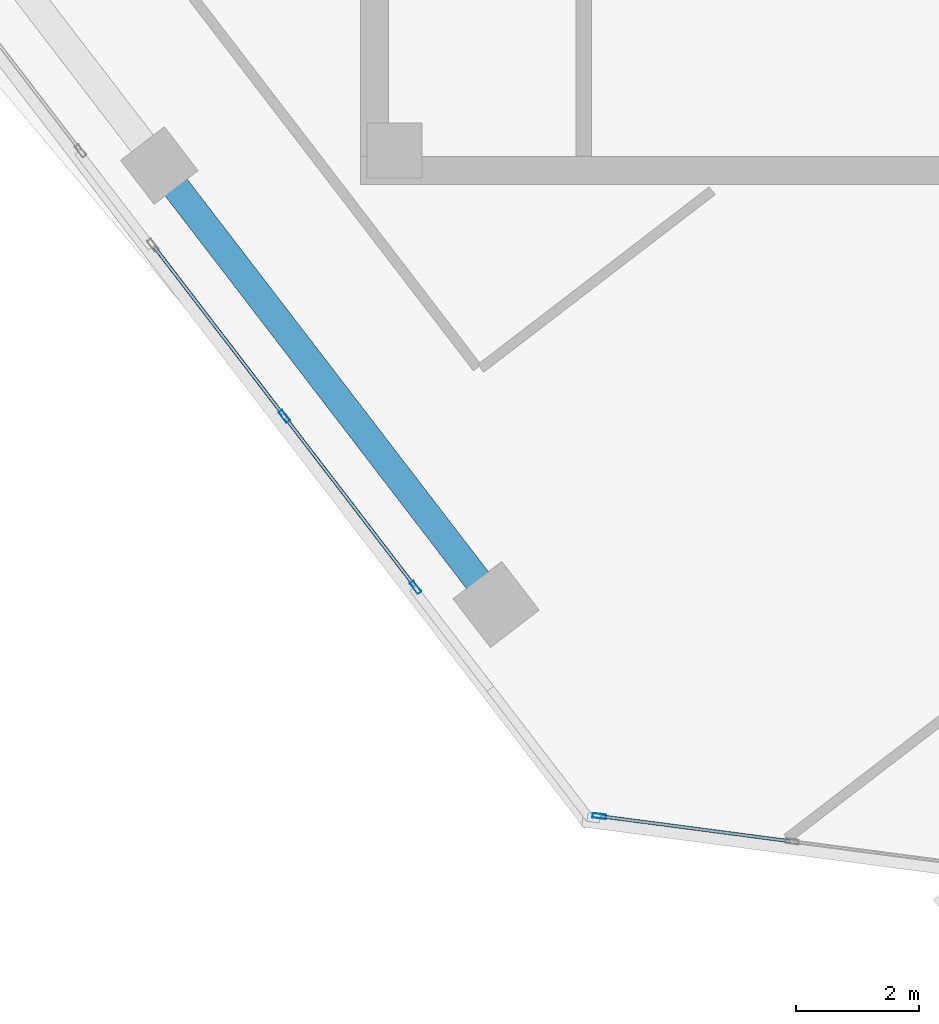
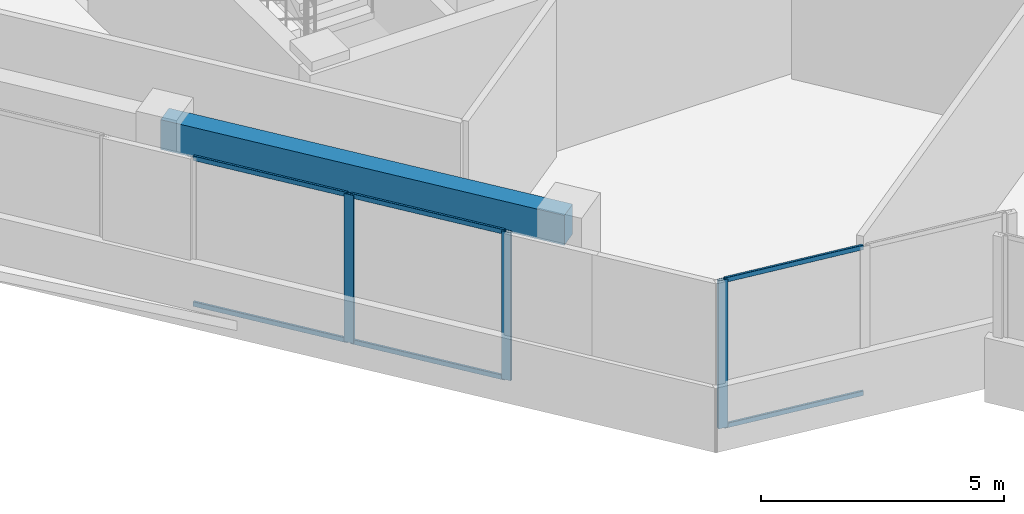
# One storey, part 2 of 17: 9 members, 1 beam, 2 elements without a shape of their own.
"""IFC4 building model written with IfcOpenShell, lengths in metres."""

import ifcopenshell
import ifcopenshell.guid

model = None  # the IFC model being written
_history = None  # IfcOwnerHistory: only IFC2X3 demands one
_inside = {}  # id of a spatial element -> (the spatial element, [elements in it])
_under = {}  # id of a project, library or spatial element -> (it, [spatial elements below it])
_declared = {}  # id of a project -> (the project, [libraries it declares])
_typed = {}  # id of a type object -> (the type object, [elements of that type])
_made_of = {}  # id of a material, layer set ... -> (it, [elements and type objects made of it])


def new_model(schema):
    """Start an empty IFC model of exactly this schema.

    Asked for "IFC4X3", IfcOpenShell would pick the latest addendum, in which some entities
    have other attributes; the version numbers below select the first issue.
    IFC2X3 requires an IfcOwnerHistory on every rooted entity: one is made here for all.
    """
    global model, _history
    if schema == "IFC4X3":
        model = ifcopenshell.file(schema_version=(4, 3, 0, 0))
    else:
        model = ifcopenshell.file(schema=schema)
    _inside.clear()
    _under.clear()
    _declared.clear()
    _typed.clear()
    _made_of.clear()
    _history = None
    if model.schema == "IFC2X3":
        org = make("IfcOrganization", Name="unknown")
        user = make(
            "IfcPersonAndOrganization",
            ThePerson=make("IfcPerson", FamilyName="unknown"),
            TheOrganization=org,
        )
        app = make(
            "IfcApplication",
            ApplicationDeveloper=org,
            Version="unknown",
            ApplicationFullName="unknown",
            ApplicationIdentifier="unknown",
        )
        _history = make(
            "IfcOwnerHistory",
            OwningUser=user,
            OwningApplication=app,
            ChangeAction="ADDED",
            CreationDate=0,
        )
    return model


def make(cls, **values):
    """One entity of the class cls with the attributes given. An attribute that is None is left unset."""
    return model.create_entity(
        cls, **{name: value for name, value in values.items() if value is not None}
    )


def rooted(cls, **values):
    """An entity with a GlobalId (a new one), such as an element, a storey or a relation."""
    return make(cls, GlobalId=ifcopenshell.guid.new(), OwnerHistory=_history, **values)


def si_unit(unit_type, name, prefix=None):
    """IfcSIUnit, for example si_unit("LENGTHUNIT", "METRE", prefix="MILLI")."""
    return make("IfcSIUnit", UnitType=unit_type, Prefix=prefix, Name=name)


def assignment(units):
    """IfcUnitAssignment: the units of a project."""
    return None if units is None else make("IfcUnitAssignment", Units=units)


def point(xyz):
    """IfcCartesianPoint."""
    return None if xyz is None else make("IfcCartesianPoint", Coordinates=xyz)


def direction(xyz):
    """IfcDirection."""
    return None if xyz is None else make("IfcDirection", DirectionRatios=xyz)


def frame(location, z_axis=None, x_axis=None):
    """IfcAxis2Placement3D, a coordinate frame: its origin and axes. An axis left out is left unset."""
    return make(
        "IfcAxis2Placement3D",
        Location=point(location),
        Axis=direction(z_axis),
        RefDirection=direction(x_axis),
    )


def frame_2d(location, x_axis=None):
    """IfcAxis2Placement2D, a coordinate frame in the plane: its origin and x axis."""
    return make(
        "IfcAxis2Placement2D", Location=point(location), RefDirection=direction(x_axis)
    )


def origin():
    """The frame at (0, 0, 0) with its axes left unset."""
    return frame((0.0, 0.0, 0.0))


def origin_2d():
    """The frame at (0, 0) in the plane with its x axis left unset."""
    return frame_2d((0.0, 0.0))


def place(relative_to, where):
    """IfcLocalPlacement: puts the frame where relative to a parent placement (None: the world)."""
    return make(
        "IfcLocalPlacement", PlacementRelTo=relative_to, RelativePlacement=where
    )


def context(
    kind, dimensions, precision=None, world=None, true_north=None, identifier=None
):
    """IfcGeometricRepresentationContext, for example the 3D "Model" context."""
    return make(
        "IfcGeometricRepresentationContext",
        ContextIdentifier=identifier,
        ContextType=kind,
        CoordinateSpaceDimension=dimensions,
        Precision=precision,
        WorldCoordinateSystem=world,
        TrueNorth=true_north,
    )


def subcontext(parent, identifier, kind, view, scale=None):
    """IfcGeometricRepresentationSubContext, for example "Body" below "Model"."""
    return make(
        "IfcGeometricRepresentationSubContext",
        ContextIdentifier=identifier,
        ContextType=kind,
        ParentContext=parent,
        TargetScale=scale,
        TargetView=view,
    )


def project(units=None, contexts=None):
    """IfcProject with its units and contexts."""
    return rooted(
        "IfcProject",
        Name="project",
        RepresentationContexts=contexts,
        UnitsInContext=assignment(units),
    )


def spatial(cls, under=None, at=None, **own):
    """A site, building, storey or space (cls), placed at a placement, below another one or the project."""
    s = rooted(cls, ObjectPlacement=at, **own)
    if under is not None:
        _under.setdefault(under.id(), (under, []))[1].append(s)
    return s


def profile(cls, at=None, kind="AREA", **sizes):
    """A parametric profile (cls). Its sizes go by their IFC names, for example OverallWidth=200.0."""
    return make(cls, ProfileType=kind, Position=at, **sizes)


def rectangle(**sizes):
    """IfcRectangleProfileDef."""
    return profile("IfcRectangleProfileDef", **sizes)


def hollow_rectangle(**sizes):
    """IfcRectangleHollowProfileDef."""
    return profile("IfcRectangleHollowProfileDef", **sizes)


def extrude(swept, where, along, depth):
    """IfcExtrudedAreaSolid: the profile swept, set in the frame where, extruded along a direction by depth."""
    return make(
        "IfcExtrudedAreaSolid",
        SweptArea=swept,
        Position=where,
        ExtrudedDirection=direction(along),
        Depth=depth,
    )


def shape(context_of_items, identifier, shape_type, items):
    """IfcShapeRepresentation: the items that make up one representation, for example the "Body"."""
    return make(
        "IfcShapeRepresentation",
        ContextOfItems=context_of_items,
        RepresentationIdentifier=identifier,
        RepresentationType=shape_type,
        Items=items,
    )


def source(mapping_origin, context_of_items, identifier, shape_type, items):
    """IfcRepresentationMap: a shape defined once, which mapped items show again and again."""
    return make(
        "IfcRepresentationMap",
        MappingOrigin=mapping_origin,
        MappedRepresentation=shape(context_of_items, identifier, shape_type, items),
    )


def transform(
    local_origin,
    x_axis=None,
    y_axis=None,
    z_axis=None,
    scale=None,
    scale2=None,
    scale3=None,
    uniform=True,
):
    """IfcCartesianTransformationOperator3D, or its non-uniform kind. x_axis, y_axis, z_axis: its Axis1, 2, 3."""
    if uniform:
        return make(
            "IfcCartesianTransformationOperator3D",
            Axis1=direction(x_axis),
            Axis2=direction(y_axis),
            LocalOrigin=point(local_origin),
            Scale=scale,
            Axis3=direction(z_axis),
        )
    return make(
        "IfcCartesianTransformationOperator3DnonUniform",
        Axis1=direction(x_axis),
        Axis2=direction(y_axis),
        LocalOrigin=point(local_origin),
        Scale=scale,
        Axis3=direction(z_axis),
        Scale2=scale2,
        Scale3=scale3,
    )


def mapped(mapping_source, mapping_target):
    """IfcMappedItem: shows the shape of a source again, moved by a transform."""
    return make(
        "IfcMappedItem", MappingSource=mapping_source, MappingTarget=mapping_target
    )


def material(Name=None, Category=None):
    """IfcMaterial."""
    return make("IfcMaterial", Name=Name, Category=Category)


def material_profile(
    of_material, cross_section, Name=None, Category=None, Priority=None
):
    """IfcMaterialProfile: a cross section and its material."""
    return make(
        "IfcMaterialProfile",
        Name=Name,
        Material=of_material,
        Profile=cross_section,
        Priority=Priority,
        Category=Category,
    )


def profile_set(profiles, Name=None, composite=None):
    """IfcMaterialProfileSet."""
    return make(
        "IfcMaterialProfileSet",
        Name=Name,
        MaterialProfiles=profiles,
        CompositeProfile=composite,
    )


def made_of(thing, what):
    """Note that an element or type object is made of a material, layer set ...; save() writes the relation."""
    if what is not None:
        _made_of.setdefault(what.id(), (what, []))[1].append(thing)
    return thing


def type_object(cls, material=None, **own):
    """A type object (cls), such as IfcWallType, which elements share."""
    return made_of(rooted(cls, **own), material)


def element(
    cls,
    number,
    at=None,
    inside=None,
    cuts=None,
    type_object=None,
    material=None,
    context=None,
    identifier="Body",
    shape_type=None,
    held_by="IfcProductDefinitionShape",
    body=None,
    shapes=None,
    **own,
):
    """One element of the class cls, such as IfcWall. Its Tag is "e" and its number.

    at: its placement. inside: the storey or other place that contains it. cuts: it is an
    opening in that element (IfcRelVoidsElement). A single representation is given by context,
    identifier, shape_type and body (its items); several are given by shapes. held_by: the class
    of the entity that holds the representations. save() writes the other relations.
    """
    e = rooted(cls, Tag="e%d" % number, ObjectPlacement=at, **own)
    if body is not None:
        shapes = [shape(context, identifier, shape_type, body)]
    if shapes is not None:
        e.Representation = make(held_by, Representations=shapes)
    if inside is not None:
        _inside.setdefault(inside.id(), (inside, []))[1].append(e)
    if cuts is not None:
        rooted(
            "IfcRelVoidsElement", RelatingBuildingElement=cuts, RelatedOpeningElement=e
        )
    if type_object is not None:
        _typed.setdefault(type_object.id(), (type_object, []))[1].append(e)
    return made_of(e, material)


def aggregate(whole, parts):
    """IfcRelAggregates: a whole, such as a stair, and the parts it consists of."""
    return rooted("IfcRelAggregates", RelatingObject=whole, RelatedObjects=parts)


def save(model, path):
    """Write the relations noted so far, then the file.

    IfcRelAggregates (storeys below a building ...), IfcRelContainedInSpatialStructure (elements
    in a storey), IfcRelDefinesByType, IfcRelAssociatesMaterial and IfcRelDeclares: one each for
    every whole, place, type object, material and project.
    """
    for whole, parts in _under.values():
        aggregate(whole, parts)
    for where, things in _inside.values():
        rooted(
            "IfcRelContainedInSpatialStructure",
            RelatedElements=things,
            RelatingStructure=where,
        )
    for kind, things in _typed.values():
        rooted("IfcRelDefinesByType", RelatedObjects=things, RelatingType=kind)
    for what, things in _made_of.values():
        rooted("IfcRelAssociatesMaterial", RelatedObjects=things, RelatingMaterial=what)
    for by, libraries in _declared.values():
        rooted("IfcRelDeclares", RelatingContext=by, RelatedDefinitions=libraries)
    model.write(path)


model = new_model("IFC4")

# Units and contexts
model_context = context("Model", 3, precision=1e-05, world=origin(), true_north=direction((0.0, 1.0)))
body_context = subcontext(model_context, "Body", "Model", "MODEL_VIEW")
ifc_project = project(units=[si_unit("LENGTHUNIT", "METRE"), si_unit("AREAUNIT", "SQUARE_METRE"), si_unit("VOLUMEUNIT", "CUBIC_METRE"), si_unit("PLANEANGLEUNIT", "RADIAN"), si_unit("MASSUNIT", "GRAM", prefix="KILO")], contexts=[model_context])

# Site, building, storey
site_placement = place(None, origin())
site = spatial("IfcSite", under=ifc_project, at=site_placement, CompositionType="ELEMENT")
building_placement = place(site_placement, origin())
building = spatial("IfcBuilding", under=site, at=building_placement, Name="Torre Montelarca", CompositionType="ELEMENT")
storey_placement = place(building_placement, frame((0.0, 0.0, 279.39990234375)))
storey = spatial("IfcBuildingStorey", under=building, at=storey_placement, Name="L63", CompositionType="ELEMENT", Elevation=279.39990234375)

# Beam
ifc_material_1 = material(Name="Concrete C55/67", Category="concrete")
ifc_material_profile_1 = material_profile(ifc_material_1, rectangle(XDim=0.449951171875, YDim=0.75, at=origin_2d()), Name="RCB450X750", Category="concrete")
ifc_profile_set_1 = profile_set([ifc_material_profile_1], Name="Concrete C55/67")
beam_type = type_object("IfcBeamType", Name="BM-SP-RC750-EXT", PredefinedType="SPANDREL", material=ifc_profile_set_1)
shared_shape_1 = source(origin(), body_context, "Body", "SweptSolid", [
    extrude(rectangle(XDim=0.449951171875, YDim=0.75, at=origin_2d()), origin(), (0.0, 0.0, 1.0), 8.999755859375),
])
beam_placement = place(storey_placement, frame((5.7236328125, 24.305908203125, 3.585205078125), z_axis=(0.608770345828, -0.793346498095, 0.0), x_axis=(0.793346498095, 0.608770345828, 0.0)))
element("IfcBeam", 1, at=beam_placement, inside=storey, type_object=beam_type, Name="L63 Grid Girder X 18.0-27.0 at Y=14.8", PredefinedType="SPANDREL", context=body_context, shape_type="MappedRepresentation", body=[
    mapped(shared_shape_1, transform((0.0, 0.0, 0.0), scale=1.0)),
])

# Curtain wall, members
ifc_material_2 = material(Name="Insulated low-E laminated glass", Category="glass")
curtain_wall_type = type_object("IfcCurtainWallType", Name="CW-SYS-Z3", PredefinedType="USERDEFINED", material=ifc_material_2)
curtain_wall_1_placement = place(storey_placement, origin())
curtain_wall_1 = element("IfcCurtainWall", 2, at=curtain_wall_1_placement, inside=storey, type_object=curtain_wall_type, Name="L63 Curtain Wall Run CW-T3-L63-E02-B1", ObjectType="UNITISED GLAZING", PredefinedType="USERDEFINED")
ifc_material_3 = material(Name="Anodised aluminium AA 6063-T6", Category="aluminium")
ifc_material_profile_2 = material_profile(ifc_material_3, hollow_rectangle(XDim=0.054931640625, YDim=0.1201171875, WallThickness=0.00341796875, InnerFilletRadius=0.00341796875, OuterFilletRadius=0.007080078125, at=origin_2d()), Name="ALU55X120X3.5", Category="aluminium")
ifc_profile_set_2 = profile_set([ifc_material_profile_2], Name="Anodised aluminium AA 6063-T6")
member_type_1 = type_object("IfcMemberType", Name="CWT-ALU120", PredefinedType="USERDEFINED", material=ifc_profile_set_2)
shared_shape_2 = source(origin(), body_context, "Body", "SweptSolid", [
    extrude(hollow_rectangle(XDim=0.054931640625, YDim=0.1201171875, WallThickness=0.00341796875, InnerFilletRadius=0.00341796875, OuterFilletRadius=0.007080078125, at=origin_2d()), origin(), (0.0, 0.0, 1.0), 3.08740234375),
])
member_1_placement = place(storey_placement, frame((12.91748046875, 13.718994140625, 0.027587890625), z_axis=(0.99145160385, -0.130474967806, 0.0), x_axis=(0.130474967806, 0.99145160385, 0.0)))
member_1 = element("IfcMember", 3, at=member_1_placement, type_object=member_type_1, Name="CW transom 1.1", ObjectType="TRANSOM", PredefinedType="USERDEFINED", context=body_context, shape_type="MappedRepresentation", body=[
    mapped(shared_shape_2, transform((0.0, 0.0, 0.0), scale=1.0)),
])
member_2_placement = place(storey_placement, frame((12.91748046875, 13.718994140625, 3.692626953125), z_axis=(0.99145160385, -0.130474967806, 0.0), x_axis=(0.130474967806, 0.99145160385, 0.0)))
member_2 = element("IfcMember", 4, at=member_2_placement, type_object=member_type_1, Name="CW transom 1.2", ObjectType="TRANSOM", PredefinedType="USERDEFINED", context=body_context, shape_type="MappedRepresentation", body=[
    mapped(shared_shape_2, transform((0.0, 0.0, 0.0), scale=1.0)),
])

curtain_wall_2_placement = place(storey_placement, origin())
curtain_wall_2 = element("IfcCurtainWall", 5, at=curtain_wall_2_placement, inside=storey, type_object=curtain_wall_type, Name="L63 Curtain Wall Run CW-T3-L63-E01-B2", ObjectType="UNITISED GLAZING", PredefinedType="USERDEFINED")
ifc_material_profile_3 = material_profile(ifc_material_3, hollow_rectangle(XDim=0.074951171875, YDim=0.219970703125, WallThickness=0.0048828125, InnerFilletRadius=0.0048828125, OuterFilletRadius=0.010009765625, at=origin_2d()), Name="ALU75X220X5", Category="aluminium")
ifc_profile_set_3 = profile_set([ifc_material_profile_3], Name="Anodised aluminium AA 6063-T6")
member_type_2 = type_object("IfcMemberType", Name="CWM-ALU220", PredefinedType="MULLION", material=ifc_profile_set_3)
shared_shape_3 = source(origin(), body_context, "Body", "SweptSolid", [
    extrude(hollow_rectangle(XDim=0.074951171875, YDim=0.219970703125, WallThickness=0.0048828125, InnerFilletRadius=0.0048828125, OuterFilletRadius=0.010009765625, at=origin_2d()), origin(), (0.0, 0.0, 1.0), 3.72021484375),
])
member_3_placement = place(storey_placement, frame((7.757568359375, 20.226318359375, 0.0), z_axis=(0.0, 0.0, 1.0), x_axis=(0.793350672852, 0.608764905268, 0.0)))
member_3 = element("IfcMember", 6, at=member_3_placement, type_object=member_type_2, Name="CW mullion 2", PredefinedType="MULLION", context=body_context, shape_type="MappedRepresentation", body=[
    mapped(shared_shape_3, transform((0.0, 0.0, 0.0), scale=1.0)),
])
member_4_placement = place(storey_placement, frame((9.892822265625, 17.443603515625, 0.0), z_axis=(0.0, 0.0, 1.0), x_axis=(0.793350672852, 0.608764905268, 0.0)))
member_4 = element("IfcMember", 7, at=member_4_placement, type_object=member_type_2, Name="CW mullion 3", PredefinedType="MULLION", context=body_context, shape_type="MappedRepresentation", body=[
    mapped(shared_shape_3, transform((0.0, 0.0, 0.0), scale=1.0)),
])

# Member
member_5_placement = place(storey_placement, frame((12.880126953125, 13.72412109375, 0.0), z_axis=(0.0, 0.0, 1.0), x_axis=(0.130514735715, 0.991446369584, 0.0)))
member_5 = element("IfcMember", 8, at=member_5_placement, type_object=member_type_2, Name="CW mullion 1", PredefinedType="MULLION", context=body_context, shape_type="MappedRepresentation", body=[
    mapped(shared_shape_3, transform((0.0, 0.0, 0.0), scale=1.0)),
])

aggregate(curtain_wall_1, [member_5, member_1, member_2])

shared_shape_4 = source(origin(), body_context, "Body", "SweptSolid", [
    extrude(hollow_rectangle(XDim=0.054931640625, YDim=0.1201171875, WallThickness=0.00341796875, InnerFilletRadius=0.00341796875, OuterFilletRadius=0.007080078125, at=origin_2d()), origin(), (0.0, 0.0, 1.0), 3.432373046875),
])
member_6_placement = place(storey_placement, frame((5.645263671875, 22.97900390625, 0.027587890625), z_axis=(0.608771939344, -0.793345275317, 0.0), x_axis=(0.793345275317, 0.608771939344, 0.0)))
member_6 = element("IfcMember", 9, at=member_6_placement, type_object=member_type_1, Name="CW transom 1.1", ObjectType="TRANSOM", PredefinedType="USERDEFINED", context=body_context, shape_type="MappedRepresentation", body=[
    mapped(shared_shape_4, transform((0.0, 0.0, 0.0), scale=1.0)),
])

member_7_placement = place(storey_placement, frame((5.645263671875, 22.97900390625, 3.692626953125), z_axis=(0.608771939344, -0.793345275317, 0.0), x_axis=(0.793345275317, 0.608771939344, 0.0)))
member_7 = element("IfcMember", 10, at=member_7_placement, type_object=member_type_1, Name="CW transom 1.2", ObjectType="TRANSOM", PredefinedType="USERDEFINED", context=body_context, shape_type="MappedRepresentation", body=[
    mapped(shared_shape_4, transform((0.0, 0.0, 0.0), scale=1.0)),
])

member_8_placement = place(storey_placement, frame((7.780517578125, 20.196533203125, 0.027587890625), z_axis=(0.608771939344, -0.793345275317, 0.0), x_axis=(0.793345275317, 0.608771939344, 0.0)))
member_8 = element("IfcMember", 11, at=member_8_placement, type_object=member_type_1, Name="CW transom 2.1", ObjectType="TRANSOM", PredefinedType="USERDEFINED", context=body_context, shape_type="MappedRepresentation", body=[
    mapped(shared_shape_4, transform((0.0, 0.0, 0.0), scale=1.0)),
])

member_9_placement = place(storey_placement, frame((7.780517578125, 20.196533203125, 3.692626953125), z_axis=(0.608771939344, -0.793345275317, 0.0), x_axis=(0.793345275317, 0.608771939344, 0.0)))
member_9 = element("IfcMember", 12, at=member_9_placement, type_object=member_type_1, Name="CW transom 2.2", ObjectType="TRANSOM", PredefinedType="USERDEFINED", context=body_context, shape_type="MappedRepresentation", body=[
    mapped(shared_shape_4, transform((0.0, 0.0, 0.0), scale=1.0)),
])

aggregate(curtain_wall_2, [member_3, member_4, member_6, member_7, member_8, member_9])

save(model, "model.ifc")
